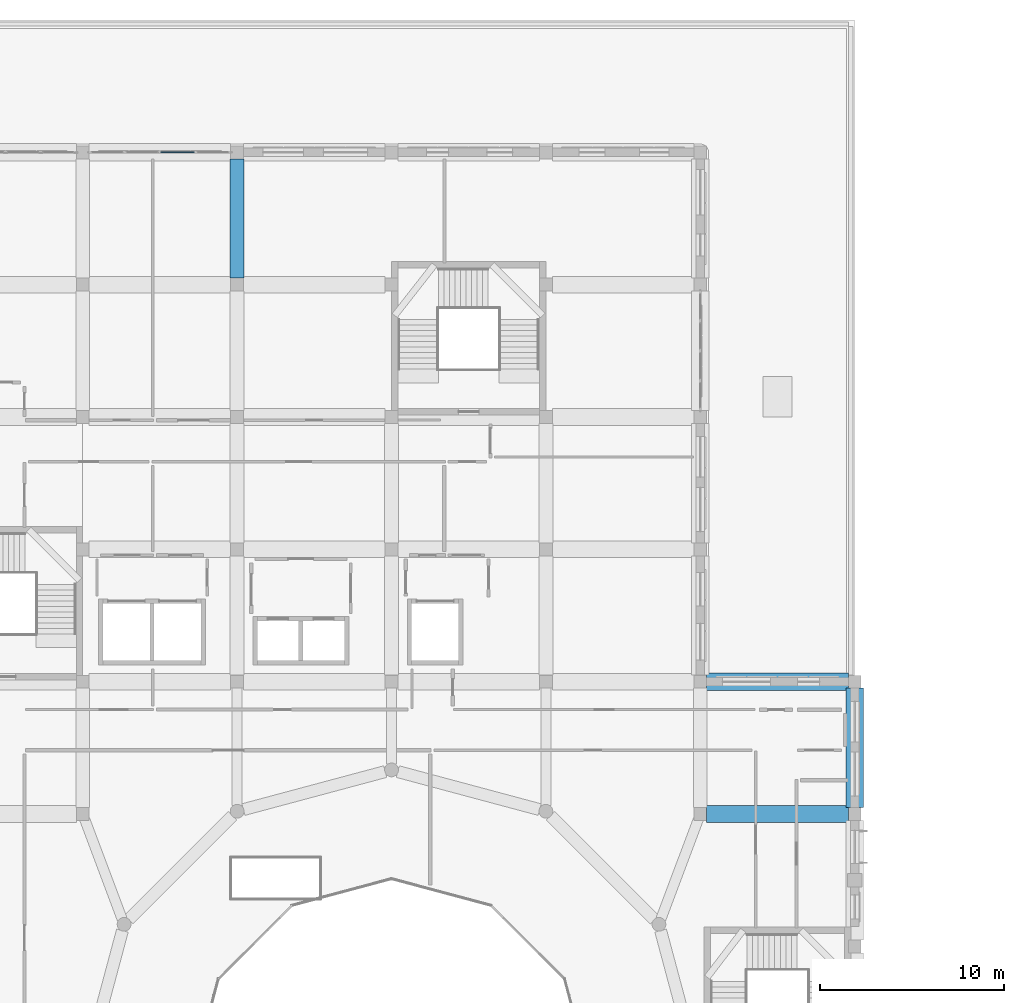
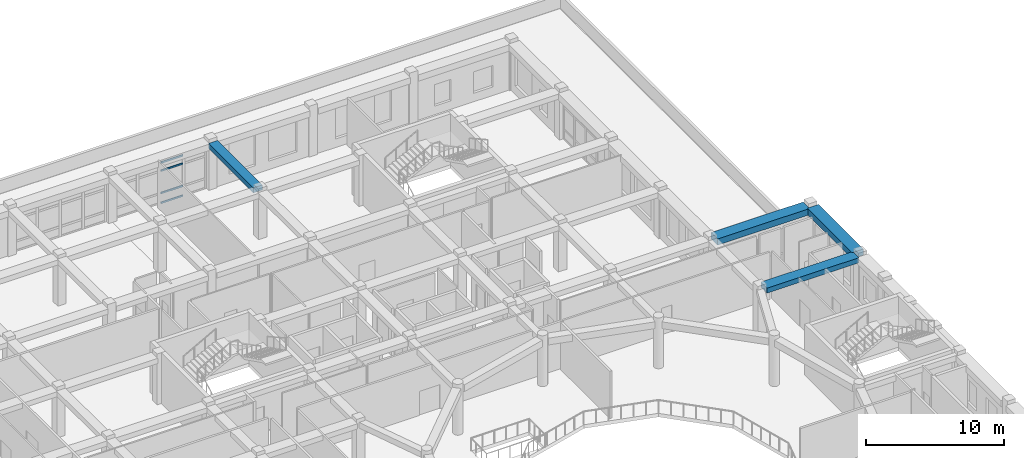
# One storey, part 35 of 100: 4 beams, 4 members, 1 element without a shape of its own.
"""IFC4 building model written with IfcOpenShell, lengths in metres."""

from ifc_helpers import new_model, si_unit, derived_unit, direction, frame, origin, origin_2d, place, context, subcontext, project, spatial, rectangle, hollow_rectangle, extrude, material, material_profile, profile_set, type_object, element, aggregate, save


model = new_model("IFC4")

# Units and contexts
model_context = context("Model", 3, precision=1e-05, world=origin(), true_north=direction((0.0, 1.0)))
body_context = subcontext(model_context, "Body", "Model", "MODEL_VIEW")
ifc_project = project(units=[si_unit("LENGTHUNIT", "METRE"), si_unit("AREAUNIT", "SQUARE_METRE"), si_unit("VOLUMEUNIT", "CUBIC_METRE"), si_unit("PLANEANGLEUNIT", "RADIAN"), si_unit("MASSUNIT", "GRAM", prefix="KILO"), derived_unit("THERMALTRANSMITTANCEUNIT", [(si_unit("POWERUNIT", "WATT"), 1), (si_unit("LENGTHUNIT", "METRE"), -2), (si_unit("THERMODYNAMICTEMPERATUREUNIT", "KELVIN"), -1)])], contexts=[model_context])

# Site, building, storey
site_placement = place(None, origin())
site = spatial("IfcSite", under=ifc_project, at=site_placement, CompositionType="ELEMENT")
building_placement = place(site_placement, origin())
building = spatial("IfcBuilding", under=site, at=building_placement, Name="Veybourne Emporium", CompositionType="ELEMENT")
storey_placement = place(building_placement, frame((0.0, 0.0, 14.39990234375)))
storey = spatial("IfcBuildingStorey", under=building, at=storey_placement, Name="L03", CompositionType="ELEMENT", Elevation=14.39990234375)

# Curtain wall, members
ifc_material_1 = material(Name="Patinated Architectural Bronze", Category="bronze")
curtain_wall_type = type_object("IfcCurtainWallType", Name="CWSystem_CWS-16", PredefinedType="NOTDEFINED", material=ifc_material_1)
curtain_wall_placement = place(storey_placement, origin())
curtain_wall = element("IfcCurtainWall", 1, at=curtain_wall_placement, inside=storey, type_object=curtain_wall_type, Name="L03 bronze glazed curtain wall CWS-16 (036)", PredefinedType="NOTDEFINED")
ifc_material_profile_1 = material_profile(ifc_material_1, hollow_rectangle(XDim=0.070068359375, YDim=0.169921875, WallThickness=0.0048828125, InnerFilletRadius=0.007568359375, OuterFilletRadius=0.012451171875, at=origin_2d()), Name="CWT 70x170x5")
ifc_profile_set_1 = profile_set([ifc_material_profile_1], Name="Patinated Architectural Bronze")
member_type = type_object("IfcMemberType", Name="CWTransom_CW-T4", PredefinedType="NOTDEFINED", material=ifc_profile_set_1)
member_1_placement = place(storey_placement, frame((63.034912109375, 100.800048828125, 0.03515625), z_axis=(1.0, 0.0, 0.0), x_axis=(0.0, 1.0, 0.0)))
member_1 = element("IfcMember", 2, at=member_1_placement, type_object=member_type, Name="CWS-16 transom 3.1", ObjectType="TRANSOM", PredefinedType="USERDEFINED", context=body_context, shape_type="SweptSolid", body=[
    extrude(hollow_rectangle(XDim=0.070068359375, YDim=0.169921875, WallThickness=0.0048828125, InnerFilletRadius=0.007568359375, OuterFilletRadius=0.012451171875, at=origin_2d()), origin(), (0.0, 0.0, 1.0), 1.85498046875),
])
member_2_placement = place(storey_placement, frame((63.034912109375, 100.800048828125, 0.900146484375), z_axis=(1.0, 0.0, 0.0), x_axis=(0.0, 1.0, 0.0)))
member_2 = element("IfcMember", 3, at=member_2_placement, type_object=member_type, Name="CWS-16 transom 3.2", ObjectType="TRANSOM", PredefinedType="USERDEFINED", context=body_context, shape_type="SweptSolid", body=[
    extrude(hollow_rectangle(XDim=0.070068359375, YDim=0.169921875, WallThickness=0.0048828125, InnerFilletRadius=0.007568359375, OuterFilletRadius=0.012451171875, at=origin_2d()), origin(), (0.0, 0.0, 1.0), 1.85498046875),
])
member_3_placement = place(storey_placement, frame((63.034912109375, 100.800048828125, 2.880126953125), z_axis=(1.0, 0.0, 0.0), x_axis=(0.0, 1.0, 0.0)))
member_3 = element("IfcMember", 4, at=member_3_placement, type_object=member_type, Name="CWS-16 transom 3.3", ObjectType="TRANSOM", PredefinedType="USERDEFINED", context=body_context, shape_type="SweptSolid", body=[
    extrude(hollow_rectangle(XDim=0.070068359375, YDim=0.169921875, WallThickness=0.0048828125, InnerFilletRadius=0.007568359375, OuterFilletRadius=0.012451171875, at=origin_2d()), origin(), (0.0, 0.0, 1.0), 1.85498046875),
])
member_4_placement = place(storey_placement, frame((63.034912109375, 100.800048828125, 3.59521484375), z_axis=(1.0, 0.0, 0.0), x_axis=(0.0, 1.0, 0.0)))
member_4 = element("IfcMember", 5, at=member_4_placement, type_object=member_type, Name="CWS-16 transom 3.4", ObjectType="TRANSOM", PredefinedType="USERDEFINED", context=body_context, shape_type="SweptSolid", body=[
    extrude(hollow_rectangle(XDim=0.070068359375, YDim=0.169921875, WallThickness=0.0048828125, InnerFilletRadius=0.007568359375, OuterFilletRadius=0.012451171875, at=origin_2d()), origin(), (0.0, 0.0, 1.0), 1.85498046875),
])
aggregate(curtain_wall, [member_1, member_2, member_3, member_4])

# Beams
ifc_material_2 = material(Name="Concrete C32/40", Category="concrete")
ifc_material_profile_2 = material_profile(ifc_material_2, rectangle(XDim=0.89990234375, YDim=0.449951171875, at=origin_2d()), Name="RC 900x450")
ifc_profile_set_2 = profile_set([ifc_material_profile_2], Name="Concrete C32/40")
beam_type_1 = type_object("IfcBeamType", Name="RCBeam_BB-03", PredefinedType="BEAM", material=ifc_profile_set_2)
beam_1_placement = place(storey_placement, frame((92.75, 64.800048828125, 3.955078125), z_axis=(1.0, 0.0, 0.0), x_axis=(0.0, 1.0, 0.0)))
element("IfcBeam", 6, at=beam_1_placement, inside=storey, type_object=beam_type_1, Name="L03 X-grid beam BB-03 (11,9)", PredefinedType="BEAM", context=body_context, shape_type="SweptSolid", body=[
    extrude(rectangle(XDim=0.89990234375, YDim=0.449951171875, at=origin_2d()), origin(), (0.0, 0.0, 1.0), 7.699951171875),
])
ifc_material_profile_3 = material_profile(ifc_material_2, rectangle(XDim=0.75, YDim=0.449951171875, at=origin_2d()), Name="RC 750x450")
ifc_profile_set_3 = profile_set([ifc_material_profile_3], Name="Concrete C32/40")
beam_type_2 = type_object("IfcBeamType", Name="RCBeam_BB-04", PredefinedType="BEAM", material=ifc_profile_set_3)
beam_2_placement = place(storey_placement, frame((67.199951171875, 93.949951171875, 3.955078125), z_axis=(0.0, 1.0, 0.0), x_axis=(-1.0, 0.0, 0.0)))
element("IfcBeam", 7, at=beam_2_placement, inside=storey, type_object=beam_type_2, Name="L03 Y-grid beam BB-04 (8,13)", PredefinedType="BEAM", context=body_context, shape_type="SweptSolid", body=[
    extrude(rectangle(XDim=0.75, YDim=0.449951171875, at=origin_2d()), origin(), (0.0, 0.0, 1.0), 6.5),
])
ifc_material_profile_4 = material_profile(ifc_material_2, rectangle(XDim=0.949951171875, YDim=0.550048828125, at=origin_2d()), Name="RC 950x550")
ifc_profile_set_4 = profile_set([ifc_material_profile_4], Name="Concrete C32/40")
beam_type_3 = type_object("IfcBeamType", Name="RCBeam_EB-01", PredefinedType="SPANDREL", material=ifc_profile_set_4)
beam_3_placement = place(storey_placement, frame((92.75, 72.0, 3.905029296875), z_axis=(1.0, 0.0, 0.0), x_axis=(0.0, 1.0, 0.0)))
element("IfcBeam", 8, at=beam_3_placement, inside=storey, type_object=beam_type_3, Name="L03 X-grid beam EB-01 (11,10)", PredefinedType="SPANDREL", context=body_context, shape_type="SweptSolid", body=[
    extrude(rectangle(XDim=0.949951171875, YDim=0.550048828125, at=origin_2d()), origin(), (0.0, 0.0, 1.0), 7.699951171875),
])
beam_4_placement = place(storey_placement, frame((100.800048828125, 65.14990234375, 3.905029296875), z_axis=(0.0, 1.0, 0.0), x_axis=(-1.0, 0.0, 0.0)))
element("IfcBeam", 9, at=beam_4_placement, inside=storey, type_object=beam_type_3, Name="L03 Y-grid beam EB-01 (12,9)", PredefinedType="SPANDREL", context=body_context, shape_type="SweptSolid", body=[
    extrude(rectangle(XDim=0.949951171875, YDim=0.550048828125, at=origin_2d()), origin(), (0.0, 0.0, 1.0), 6.5),
])

save(model, "model.ifc")
